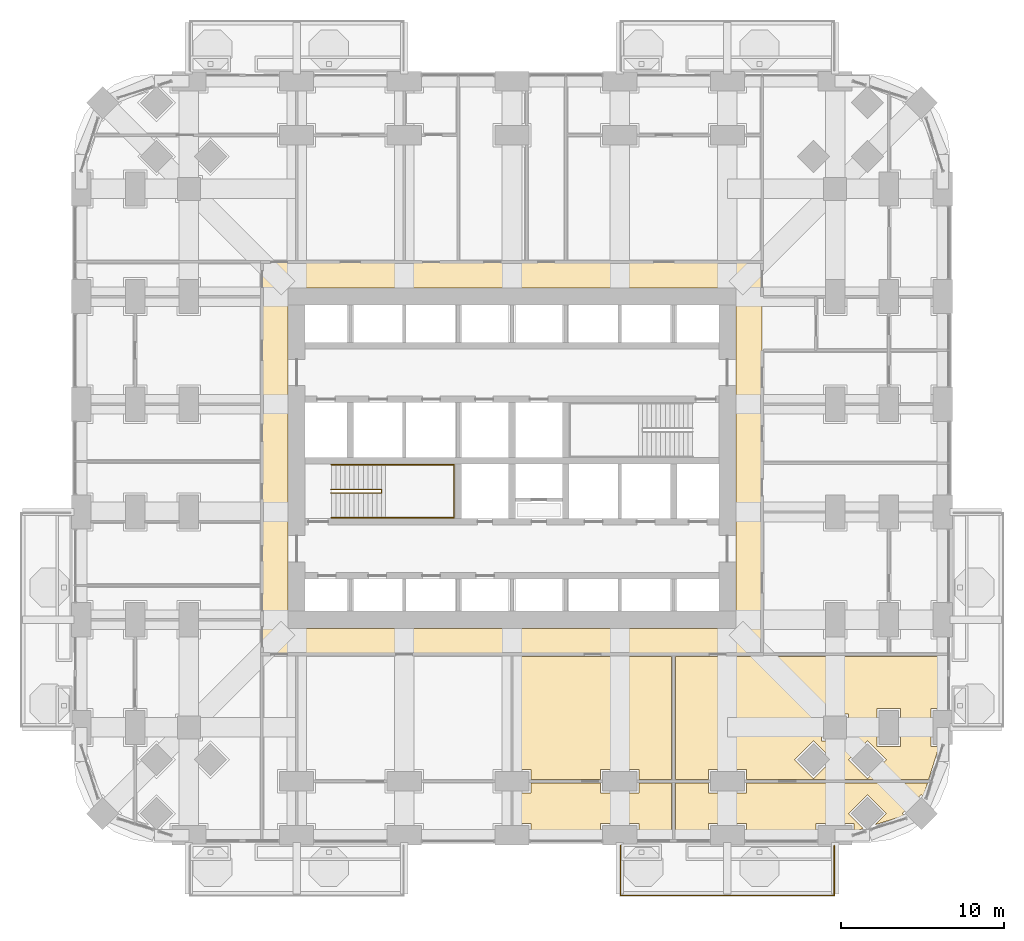
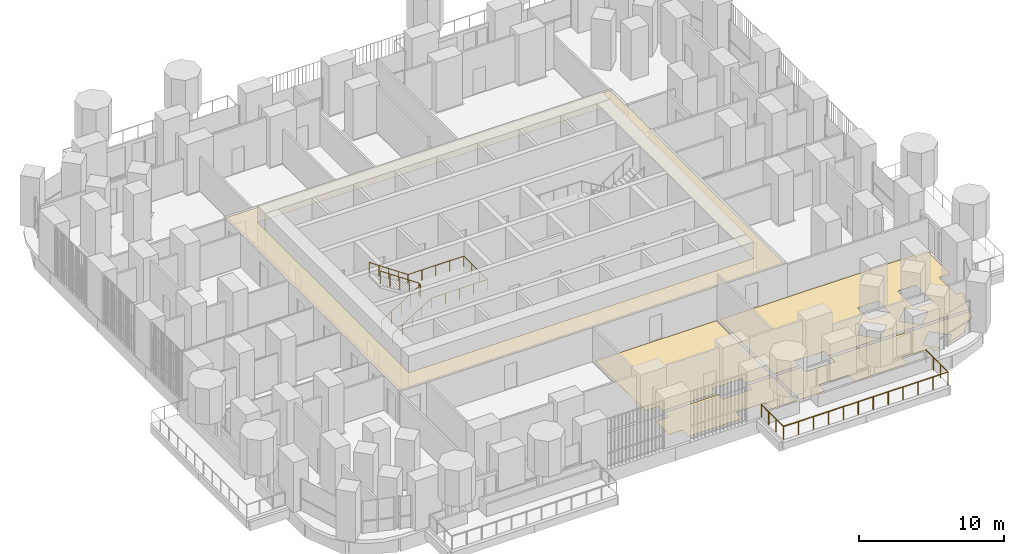
# One storey, part 24 of 27: 5 coverings, 3 railings.
"""IFC4 building model written with IfcOpenShell, lengths in metres."""

from ifc_helpers import new_model, si_unit, direction, frame, origin, place, context, subcontext, project, spatial, polyline, outline, extrude, material, layer, layer_set, type_object, element, save


model = new_model("IFC4")

# Units and contexts
model_context = context("Model", 3, precision=1e-05, world=origin(), true_north=direction((0.0, 1.0)))
body_context = subcontext(model_context, "Body", "Model", "MODEL_VIEW")
ifc_project = project(units=[si_unit("LENGTHUNIT", "METRE"), si_unit("AREAUNIT", "SQUARE_METRE"), si_unit("VOLUMEUNIT", "CUBIC_METRE"), si_unit("PLANEANGLEUNIT", "RADIAN"), si_unit("MASSUNIT", "GRAM", prefix="KILO")], contexts=[model_context])

# Site, building, storey
site_placement = place(None, origin())
site = spatial("IfcSite", under=ifc_project, at=site_placement, CompositionType="ELEMENT")
building_placement = place(site_placement, origin())
building = spatial("IfcBuilding", under=site, at=building_placement, Name="Cobogo Forest Laboratory Tower", CompositionType="ELEMENT")
storey_placement = place(building_placement, frame((0.0, 0.0, 29.699951171875)))
storey = spatial("IfcBuildingStorey", under=building, at=storey_placement, Name="L06", CompositionType="ELEMENT", Elevation=29.699951171875)

# Railing
ifc_material_1 = material(Name="Laminated glass balustrade", Category="glass")
railing_type_1 = type_object("IfcRailingType", Name="BG1 glass balustrade 1100", PredefinedType="GUARDRAIL", material=ifc_material_1)
railing_1_placement = place(storey_placement, frame((33.050048828125, -0.64990234375, 0.0)))
element("IfcRailing", 1, at=railing_1_placement, inside=storey, type_object=railing_type_1, Name="Balcony balustrade BAL-S2 L06", PredefinedType="GUARDRAIL", context=body_context, shape_type="SweptSolid", body=[
    extrude(outline(polyline([(0.022216796875, 0.00927734375), (0.00927734375, 0.022216796875), (-0.00927734375, 0.022216796875), (-0.022216796875, 0.00927734375), (-0.022216796875, -0.00927734375), (-0.00927734375, -0.022216796875), (0.00927734375, -0.022216796875), (0.022216796875, -0.00927734375), (0.022216796875, 0.00927734375)])), frame((0.0, 0.0, 1.077880859375), z_axis=(0.0, -1.0, 0.0), x_axis=(1.0, 0.0, 0.0)), (0.0, 0.0, 1.0), 3.050048828125),
    extrude(outline(polyline([(0.022216796875, 0.00927734375), (0.00927734375, 0.022216796875), (-0.00927734375, 0.022216796875), (-0.022216796875, 0.00927734375), (-0.022216796875, -0.00927734375), (-0.00927734375, -0.022216796875), (0.00927734375, -0.022216796875), (0.022216796875, -0.00927734375), (0.022216796875, 0.00927734375)])), frame((0.0, -3.050048828125, 1.077880859375), z_axis=(1.0, 0.0, 0.0), x_axis=(0.0, 1.0, 0.0)), (0.0, 0.0, 1.0), 13.099853515625),
    extrude(outline(polyline([(0.022216796875, 0.00927734375), (0.00927734375, 0.022216796875), (-0.00927734375, 0.022216796875), (-0.022216796875, 0.00927734375), (-0.022216796875, -0.00927734375), (-0.00927734375, -0.022216796875), (0.00927734375, -0.022216796875), (0.022216796875, -0.00927734375), (0.022216796875, 0.00927734375)])), frame((13.099853515625, -3.050048828125, 1.077880859375), z_axis=(0.0, 1.0, 0.0), x_axis=(-1.0, 0.0, 0.0)), (0.0, 0.0, 1.0), 3.050048828125),
    extrude(outline(polyline([(0.019287109375, 0.008056640625), (0.008056640625, 0.019287109375), (-0.008056640625, 0.019287109375), (-0.019287109375, 0.008056640625), (-0.019287109375, -0.008056640625), (-0.008056640625, -0.019287109375), (0.008056640625, -0.019287109375), (0.019287109375, -0.008056640625), (0.019287109375, 0.008056640625)])), origin(), (0.0, 0.0, 1.0), 1.077880859375),
    extrude(outline(polyline([(0.019287109375, 0.008056640625), (0.008056640625, 0.019287109375), (-0.008056640625, 0.019287109375), (-0.019287109375, 0.008056640625), (-0.019287109375, -0.008056640625), (-0.008056640625, -0.019287109375), (0.008056640625, -0.019287109375), (0.019287109375, -0.008056640625), (0.019287109375, 0.008056640625)])), frame((0.0, -1.0166015625, 0.0)), (0.0, 0.0, 1.0), 1.077880859375),
    extrude(outline(polyline([(0.019287109375, 0.008056640625), (0.008056640625, 0.019287109375), (-0.008056640625, 0.019287109375), (-0.019287109375, 0.008056640625), (-0.019287109375, -0.008056640625), (-0.008056640625, -0.019287109375), (0.008056640625, -0.019287109375), (0.019287109375, -0.008056640625), (0.019287109375, 0.008056640625)])), frame((0.0, -2.033447265625, 0.0)), (0.0, 0.0, 1.0), 1.077880859375),
    extrude(outline(polyline([(0.019287109375, 0.008056640625), (0.008056640625, 0.019287109375), (-0.008056640625, 0.019287109375), (-0.019287109375, 0.008056640625), (-0.019287109375, -0.008056640625), (-0.008056640625, -0.019287109375), (0.008056640625, -0.019287109375), (0.019287109375, -0.008056640625), (0.019287109375, 0.008056640625)])), frame((0.0, -3.050048828125, 0.0)), (0.0, 0.0, 1.0), 1.077880859375),
    extrude(outline(polyline([(0.019287109375, 0.008056640625), (0.008056640625, 0.019287109375), (-0.008056640625, 0.019287109375), (-0.019287109375, 0.008056640625), (-0.019287109375, -0.008056640625), (-0.008056640625, -0.019287109375), (0.008056640625, -0.019287109375), (0.019287109375, -0.008056640625), (0.019287109375, 0.008056640625)])), frame((1.19091796875, -3.050048828125, 0.0)), (0.0, 0.0, 1.0), 1.077880859375),
    extrude(outline(polyline([(0.019287109375, 0.008056640625), (0.008056640625, 0.019287109375), (-0.008056640625, 0.019287109375), (-0.019287109375, 0.008056640625), (-0.019287109375, -0.008056640625), (-0.008056640625, -0.019287109375), (0.008056640625, -0.019287109375), (0.019287109375, -0.008056640625), (0.019287109375, 0.008056640625)])), frame((2.3818359375, -3.050048828125, 0.0)), (0.0, 0.0, 1.0), 1.077880859375),
    extrude(outline(polyline([(0.019287109375, 0.008056640625), (0.008056640625, 0.019287109375), (-0.008056640625, 0.019287109375), (-0.019287109375, 0.008056640625), (-0.019287109375, -0.008056640625), (-0.008056640625, -0.019287109375), (0.008056640625, -0.019287109375), (0.019287109375, -0.008056640625), (0.019287109375, 0.008056640625)])), frame((3.57275390625, -3.050048828125, 0.0)), (0.0, 0.0, 1.0), 1.077880859375),
    extrude(outline(polyline([(0.019287109375, 0.008056640625), (0.008056640625, 0.019287109375), (-0.008056640625, 0.019287109375), (-0.019287109375, 0.008056640625), (-0.019287109375, -0.008056640625), (-0.008056640625, -0.019287109375), (0.008056640625, -0.019287109375), (0.019287109375, -0.008056640625), (0.019287109375, 0.008056640625)])), frame((4.763671875, -3.050048828125, 0.0)), (0.0, 0.0, 1.0), 1.077880859375),
    extrude(outline(polyline([(0.019287109375, 0.008056640625), (0.008056640625, 0.019287109375), (-0.008056640625, 0.019287109375), (-0.019287109375, 0.008056640625), (-0.019287109375, -0.008056640625), (-0.008056640625, -0.019287109375), (0.008056640625, -0.019287109375), (0.019287109375, -0.008056640625), (0.019287109375, 0.008056640625)])), frame((5.95458984375, -3.050048828125, 0.0)), (0.0, 0.0, 1.0), 1.077880859375),
    extrude(outline(polyline([(0.019287109375, 0.008056640625), (0.008056640625, 0.019287109375), (-0.008056640625, 0.019287109375), (-0.019287109375, 0.008056640625), (-0.019287109375, -0.008056640625), (-0.008056640625, -0.019287109375), (0.008056640625, -0.019287109375), (0.019287109375, -0.008056640625), (0.019287109375, 0.008056640625)])), frame((7.145263671875, -3.050048828125, 0.0)), (0.0, 0.0, 1.0), 1.077880859375),
    extrude(outline(polyline([(0.019287109375, 0.008056640625), (0.008056640625, 0.019287109375), (-0.008056640625, 0.019287109375), (-0.019287109375, 0.008056640625), (-0.019287109375, -0.008056640625), (-0.008056640625, -0.019287109375), (0.008056640625, -0.019287109375), (0.019287109375, -0.008056640625), (0.019287109375, 0.008056640625)])), frame((8.336181640625, -3.050048828125, 0.0)), (0.0, 0.0, 1.0), 1.077880859375),
    extrude(outline(polyline([(0.019287109375, 0.008056640625), (0.008056640625, 0.019287109375), (-0.008056640625, 0.019287109375), (-0.019287109375, 0.008056640625), (-0.019287109375, -0.008056640625), (-0.008056640625, -0.019287109375), (0.008056640625, -0.019287109375), (0.019287109375, -0.008056640625), (0.019287109375, 0.008056640625)])), frame((9.527099609375, -3.050048828125, 0.0)), (0.0, 0.0, 1.0), 1.077880859375),
    extrude(outline(polyline([(0.019287109375, 0.008056640625), (0.008056640625, 0.019287109375), (-0.008056640625, 0.019287109375), (-0.019287109375, 0.008056640625), (-0.019287109375, -0.008056640625), (-0.008056640625, -0.019287109375), (0.008056640625, -0.019287109375), (0.019287109375, -0.008056640625), (0.019287109375, 0.008056640625)])), frame((10.718017578125, -3.050048828125, 0.0)), (0.0, 0.0, 1.0), 1.077880859375),
    extrude(outline(polyline([(0.019287109375, 0.008056640625), (0.008056640625, 0.019287109375), (-0.008056640625, 0.019287109375), (-0.019287109375, 0.008056640625), (-0.019287109375, -0.008056640625), (-0.008056640625, -0.019287109375), (0.008056640625, -0.019287109375), (0.019287109375, -0.008056640625), (0.019287109375, 0.008056640625)])), frame((11.908935546875, -3.050048828125, 0.0)), (0.0, 0.0, 1.0), 1.077880859375),
    extrude(outline(polyline([(0.019287109375, 0.008056640625), (0.008056640625, 0.019287109375), (-0.008056640625, 0.019287109375), (-0.019287109375, 0.008056640625), (-0.019287109375, -0.008056640625), (-0.008056640625, -0.019287109375), (0.008056640625, -0.019287109375), (0.019287109375, -0.008056640625), (0.019287109375, 0.008056640625)])), frame((13.099853515625, -3.050048828125, 0.0)), (0.0, 0.0, 1.0), 1.077880859375),
    extrude(outline(polyline([(0.019287109375, 0.008056640625), (0.008056640625, 0.019287109375), (-0.008056640625, 0.019287109375), (-0.019287109375, 0.008056640625), (-0.019287109375, -0.008056640625), (-0.008056640625, -0.019287109375), (0.008056640625, -0.019287109375), (0.019287109375, -0.008056640625), (0.019287109375, 0.008056640625)])), frame((13.099853515625, -2.033447265625, 0.0)), (0.0, 0.0, 1.0), 1.077880859375),
    extrude(outline(polyline([(0.019287109375, 0.008056640625), (0.008056640625, 0.019287109375), (-0.008056640625, 0.019287109375), (-0.019287109375, 0.008056640625), (-0.019287109375, -0.008056640625), (-0.008056640625, -0.019287109375), (0.008056640625, -0.019287109375), (0.019287109375, -0.008056640625), (0.019287109375, 0.008056640625)])), frame((13.099853515625, -1.0166015625, 0.0)), (0.0, 0.0, 1.0), 1.077880859375),
    extrude(outline(polyline([(0.019287109375, 0.008056640625), (0.008056640625, 0.019287109375), (-0.008056640625, 0.019287109375), (-0.019287109375, 0.008056640625), (-0.019287109375, -0.008056640625), (-0.008056640625, -0.019287109375), (0.008056640625, -0.019287109375), (0.019287109375, -0.008056640625), (0.019287109375, 0.008056640625)])), frame((13.099853515625, 0.0, 0.0)), (0.0, 0.0, 1.0), 1.077880859375),
])

# Coverings
ifc_material_2 = material(Name="Mineral fibre ceiling tile", Category="ceiling")
ifc_layer_1 = layer(ifc_material_2, 0.02001953125)
ifc_layer_set_1 = layer_set([ifc_layer_1], Name="CL1 suspended ceiling")
covering_type_1 = type_object("IfcCoveringType", Name="CL1 suspended ceiling", PredefinedType="CEILING", material=ifc_layer_set_1)
covering_1_placement = place(storey_placement, frame((0.0, 0.0, 2.800048828125)))
element("IfcCovering", 2, at=covering_1_placement, inside=storey, type_object=covering_type_1, Name="Corridor ceiling L06", PredefinedType="CEILING", context=body_context, shape_type="SweptSolid", body=[
    extrude(outline(polyline([(11.074951171875, 11.074951171875), (11.074951171875, 35.125), (41.72509765625, 35.125), (41.72509765625, 11.074951171875), (11.074951171875, 11.074951171875)]), holes=[polyline([(40.125, 33.52490234375), (12.675048828125, 33.52490234375), (12.675048828125, 12.675048828125), (40.125, 12.675048828125), (40.125, 33.52490234375)])]), origin(), (0.0, 0.0, 1.0), 0.02001953125),
])
ifc_material_3 = material(Name="Carpet tile on raised access floor", Category="flooring")
ifc_layer_2 = layer(ifc_material_3, 0.008056640625)
ifc_layer_set_2 = layer_set([ifc_layer_2], Name="CT1 carpet tile floor 8")
covering_type_2 = type_object("IfcCoveringType", Name="CT1 carpet tile floor 8", PredefinedType="FLOORING", material=ifc_layer_set_2)
covering_2_placement = place(storey_placement, origin())
element("IfcCovering", 3, at=covering_2_placement, inside=storey, type_object=covering_type_2, Name="Carpet floor L06-05", PredefinedType="FLOORING", context=body_context, shape_type="SweptSolid", body=[
    extrude(outline(polyline([(31.830078125, 3.179931640625), (31.830078125, 2.580078125), (34.169921875, 2.580078125), (34.169921875, 3.179931640625), (36.179931640625, 3.179931640625), (36.179931640625, -0.14990234375), (34.169921875, -0.14990234375), (34.169921875, 0.719970703125), (31.830078125, 0.719970703125), (31.830078125, -0.14990234375), (27.570068359375, -0.14990234375), (27.570068359375, 0.719970703125), (26.52001953125, 0.719970703125), (26.52001953125, 2.580078125), (27.570068359375, 2.580078125), (27.570068359375, 3.179931640625), (31.830078125, 3.179931640625)])), origin(), (0.0, 0.0, 1.0), 0.008056640625),
])
covering_3_placement = place(storey_placement, origin())
element("IfcCovering", 4, at=covering_3_placement, inside=storey, type_object=covering_type_2, Name="Carpet floor L06-07", PredefinedType="FLOORING", context=body_context, shape_type="SweptSolid", body=[
    extrude(outline(polyline([(38.429931640625, 3.179931640625), (38.429931640625, 2.580078125), (40.77001953125, 2.580078125), (40.77001953125, 3.179931640625), (51.8603515625, 3.179931640625), (51.600830078125, 2.358642578125), (51.48193359375, 2.477783203125), (50.322265625, 1.318115234375), (50.441162109375, 1.19921875), (48.660400390625, 0.63671875), (49.341552734375, 1.318115234375), (48.181884765625, 2.477783203125), (47.022216796875, 1.318115234375), (47.933349609375, 0.406982421875), (47.3701171875, 0.229248046875), (47.3701171875, 0.719970703125), (45.030029296875, 0.719970703125), (45.030029296875, -0.14990234375), (40.77001953125, -0.14990234375), (40.77001953125, 0.719970703125), (38.429931640625, 0.719970703125), (38.429931640625, -0.14990234375), (36.419921875, -0.14990234375), (36.419921875, 3.179931640625), (38.429931640625, 3.179931640625)])), origin(), (0.0, 0.0, 1.0), 0.008056640625),
])

# Railings
ifc_material_4 = material(Name="Steel balustrade", Category="steel")
railing_type_2 = type_object("IfcRailingType", Name="GR stair guard 1100", PredefinedType="GUARDRAIL", material=ifc_material_4)
railing_2_placement = place(storey_placement, frame((15.324951171875, 20.969970703125, 0.175048828125)))
element("IfcRailing", 5, at=railing_2_placement, inside=storey, type_object=railing_type_2, Name="Stair guard ST1 L06", PredefinedType="GUARDRAIL", context=body_context, shape_type="SweptSolid", body=[
    extrude(outline(polyline([(0.022216796875, 0.00927734375), (0.00927734375, 0.022216796875), (-0.00927734375, 0.022216796875), (-0.022216796875, 0.00927734375), (-0.022216796875, -0.00927734375), (-0.00927734375, -0.022216796875), (0.00927734375, -0.022216796875), (0.022216796875, -0.00927734375), (0.022216796875, 0.00927734375)])), frame((0.0, 0.0, 1.077880859375), z_axis=(0.847998304005, 0.0, 0.529998940003), x_axis=(0.0, 1.0, 0.0)), (0.0, 0.0, 1.0), 3.632080078125),
    extrude(outline(polyline([(0.022216796875, 0.00927734375), (0.00927734375, 0.022216796875), (-0.00927734375, 0.022216796875), (-0.022216796875, 0.00927734375), (-0.022216796875, -0.00927734375), (-0.00927734375, -0.022216796875), (0.00927734375, -0.022216796875), (0.022216796875, -0.00927734375), (0.022216796875, 0.00927734375)])), frame((3.080078125, 0.0, 3.0029296875), z_axis=(0.0, 1.0, 0.0), x_axis=(-1.0, 0.0, 0.0)), (0.0, 0.0, 1.0), 0.2099609375),
    extrude(outline(polyline([(0.022216796875, 0.00927734375), (0.00927734375, 0.022216796875), (-0.00927734375, 0.022216796875), (-0.022216796875, 0.00927734375), (-0.022216796875, -0.00927734375), (-0.00927734375, -0.022216796875), (0.00927734375, -0.022216796875), (0.022216796875, -0.00927734375), (0.022216796875, 0.00927734375)])), frame((3.080078125, 0.2099609375, 3.0029296875), z_axis=(-0.826252282691, 0.0, 0.563300244406), x_axis=(0.0, -1.0, 0.0)), (0.0, 0.0, 1.0), 3.727783203125),
    extrude(outline(polyline([(0.019287109375, 0.008056640625), (0.008056640625, 0.019287109375), (-0.008056640625, 0.019287109375), (-0.019287109375, 0.008056640625), (-0.019287109375, -0.008056640625), (-0.008056640625, -0.019287109375), (0.008056640625, -0.019287109375), (0.019287109375, -0.008056640625), (0.019287109375, 0.008056640625)])), origin(), (0.0, 0.0, 1.0), 1.077880859375),
    extrude(outline(polyline([(0.019287109375, 0.008056640625), (0.008056640625, 0.019287109375), (-0.008056640625, 0.019287109375), (-0.019287109375, 0.008056640625), (-0.019287109375, -0.008056640625), (-0.008056640625, -0.019287109375), (0.008056640625, -0.019287109375), (0.019287109375, -0.008056640625), (0.019287109375, 0.008056640625)])), frame((0.77001953125, 0.0, 0.481201171875)), (0.0, 0.0, 1.0), 1.077880859375),
    extrude(outline(polyline([(0.019287109375, 0.008056640625), (0.008056640625, 0.019287109375), (-0.008056640625, 0.019287109375), (-0.019287109375, 0.008056640625), (-0.019287109375, -0.008056640625), (-0.008056640625, -0.019287109375), (0.008056640625, -0.019287109375), (0.019287109375, -0.008056640625), (0.019287109375, 0.008056640625)])), frame((1.5400390625, 0.0, 0.96240234375)), (0.0, 0.0, 1.0), 1.077880859375),
    extrude(outline(polyline([(0.019287109375, 0.008056640625), (0.008056640625, 0.019287109375), (-0.008056640625, 0.019287109375), (-0.019287109375, 0.008056640625), (-0.019287109375, -0.008056640625), (-0.008056640625, -0.019287109375), (0.008056640625, -0.019287109375), (0.019287109375, -0.008056640625), (0.019287109375, 0.008056640625)])), frame((2.31005859375, 0.0, 1.44384765625)), (0.0, 0.0, 1.0), 1.077880859375),
    extrude(outline(polyline([(0.019287109375, 0.008056640625), (0.008056640625, 0.019287109375), (-0.008056640625, 0.019287109375), (-0.019287109375, 0.008056640625), (-0.019287109375, -0.008056640625), (-0.008056640625, -0.019287109375), (0.008056640625, -0.019287109375), (0.019287109375, -0.008056640625), (0.019287109375, 0.008056640625)])), frame((3.080078125, 0.0, 1.925048828125)), (0.0, 0.0, 1.0), 1.077880859375),
    extrude(outline(polyline([(0.019287109375, 0.008056640625), (0.008056640625, 0.019287109375), (-0.008056640625, 0.019287109375), (-0.019287109375, 0.008056640625), (-0.019287109375, -0.008056640625), (-0.008056640625, -0.019287109375), (0.008056640625, -0.019287109375), (0.019287109375, -0.008056640625), (0.019287109375, 0.008056640625)])), frame((3.080078125, 0.2099609375, 1.925048828125)), (0.0, 0.0, 1.0), 1.077880859375),
    extrude(outline(polyline([(0.019287109375, 0.008056640625), (0.008056640625, 0.019287109375), (-0.008056640625, 0.019287109375), (-0.019287109375, 0.008056640625), (-0.019287109375, -0.008056640625), (-0.008056640625, -0.019287109375), (0.008056640625, -0.019287109375), (0.019287109375, -0.008056640625), (0.019287109375, 0.008056640625)])), frame((2.31005859375, 0.2099609375, 2.449951171875)), (0.0, 0.0, 1.0), 1.077880859375),
    extrude(outline(polyline([(0.019287109375, 0.008056640625), (0.008056640625, 0.019287109375), (-0.008056640625, 0.019287109375), (-0.019287109375, 0.008056640625), (-0.019287109375, -0.008056640625), (-0.008056640625, -0.019287109375), (0.008056640625, -0.019287109375), (0.019287109375, -0.008056640625), (0.019287109375, 0.008056640625)])), frame((1.5400390625, 0.2099609375, 2.97509765625)), (0.0, 0.0, 1.0), 1.077880859375),
    extrude(outline(polyline([(0.019287109375, 0.008056640625), (0.008056640625, 0.019287109375), (-0.008056640625, 0.019287109375), (-0.019287109375, 0.008056640625), (-0.019287109375, -0.008056640625), (-0.008056640625, -0.019287109375), (0.008056640625, -0.019287109375), (0.019287109375, -0.008056640625), (0.019287109375, 0.008056640625)])), frame((0.77001953125, 0.2099609375, 3.5)), (0.0, 0.0, 1.0), 1.077880859375),
    extrude(outline(polyline([(0.019287109375, 0.008056640625), (0.008056640625, 0.019287109375), (-0.008056640625, 0.019287109375), (-0.019287109375, 0.008056640625), (-0.019287109375, -0.008056640625), (-0.008056640625, -0.019287109375), (0.008056640625, -0.019287109375), (0.019287109375, -0.008056640625), (0.019287109375, 0.008056640625)])), frame((0.0, 0.2099609375, 4.02490234375)), (0.0, 0.0, 1.0), 1.077880859375),
])
ifc_material_5 = material(Name="Stainless steel handrail", Category="steel")
railing_type_3 = type_object("IfcRailingType", Name="HR handrail 900", PredefinedType="HANDRAIL", material=ifc_material_5)
railing_3_placement = place(storey_placement, frame((15.324951171875, 19.449951171875, 0.175048828125)))
element("IfcRailing", 6, at=railing_3_placement, inside=storey, type_object=railing_type_3, Name="Stair handrail ST1 L06", PredefinedType="HANDRAIL", context=body_context, shape_type="SweptSolid", body=[
    extrude(outline(polyline([(0.022216796875, 0.00927734375), (0.00927734375, 0.022216796875), (-0.00927734375, 0.022216796875), (-0.022216796875, 0.00927734375), (-0.022216796875, -0.00927734375), (-0.00927734375, -0.022216796875), (0.00927734375, -0.022216796875), (0.022216796875, -0.00927734375), (0.022216796875, 0.00927734375)])), frame((0.0, 0.0, 0.877685546875), z_axis=(0.847998304005, 0.0, 0.529998940003), x_axis=(0.0, 1.0, 0.0)), (0.0, 0.0, 1.0), 3.632080078125),
    extrude(outline(polyline([(0.022216796875, 0.00927734375), (0.00927734375, 0.022216796875), (-0.00927734375, 0.022216796875), (-0.022216796875, 0.00927734375), (-0.022216796875, -0.00927734375), (-0.00927734375, -0.022216796875), (0.00927734375, -0.022216796875), (0.022216796875, -0.00927734375), (0.022216796875, 0.00927734375)])), frame((3.080078125, 0.0, 2.802734375), z_axis=(1.0, 0.0, 0.0), x_axis=(0.0, 1.0, 0.0)), (0.0, 0.0, 1.0), 4.445068359375),
    extrude(outline(polyline([(0.022216796875, 0.00927734375), (0.00927734375, 0.022216796875), (-0.00927734375, 0.022216796875), (-0.022216796875, 0.00927734375), (-0.022216796875, -0.00927734375), (-0.00927734375, -0.022216796875), (0.00927734375, -0.022216796875), (0.022216796875, -0.00927734375), (0.022216796875, 0.00927734375)])), frame((7.525146484375, 0.0, 2.802734375), z_axis=(0.0, 1.0, 0.0), x_axis=(-1.0, 0.0, 0.0)), (0.0, 0.0, 1.0), 3.25),
    extrude(outline(polyline([(0.022216796875, 0.00927734375), (0.00927734375, 0.022216796875), (-0.00927734375, 0.022216796875), (-0.022216796875, 0.00927734375), (-0.022216796875, -0.00927734375), (-0.00927734375, -0.022216796875), (0.00927734375, -0.022216796875), (0.022216796875, -0.00927734375), (0.022216796875, 0.00927734375)])), frame((7.525146484375, 3.25, 2.802734375), z_axis=(-1.0, 0.0, 0.0), x_axis=(0.0, -1.0, 0.0)), (0.0, 0.0, 1.0), 4.445068359375),
    extrude(outline(polyline([(0.022216796875, 0.00927734375), (0.00927734375, 0.022216796875), (-0.00927734375, 0.022216796875), (-0.022216796875, 0.00927734375), (-0.022216796875, -0.00927734375), (-0.00927734375, -0.022216796875), (0.00927734375, -0.022216796875), (0.022216796875, -0.00927734375), (0.022216796875, 0.00927734375)])), frame((3.080078125, 3.25, 2.802734375), z_axis=(-0.826252282691, 0.0, 0.563300244406), x_axis=(0.0, -1.0, 0.0)), (0.0, 0.0, 1.0), 3.727783203125),
    extrude(outline(polyline([(0.019287109375, 0.008056640625), (0.008056640625, 0.019287109375), (-0.008056640625, 0.019287109375), (-0.019287109375, 0.008056640625), (-0.019287109375, -0.008056640625), (-0.008056640625, -0.019287109375), (0.008056640625, -0.019287109375), (0.019287109375, -0.008056640625), (0.019287109375, 0.008056640625)])), origin(), (0.0, 0.0, 1.0), 0.877685546875),
    extrude(outline(polyline([(0.019287109375, 0.008056640625), (0.008056640625, 0.019287109375), (-0.008056640625, 0.019287109375), (-0.019287109375, 0.008056640625), (-0.019287109375, -0.008056640625), (-0.008056640625, -0.019287109375), (0.008056640625, -0.019287109375), (0.019287109375, -0.008056640625), (0.019287109375, 0.008056640625)])), frame((0.77001953125, 0.0, 0.481201171875)), (0.0, 0.0, 1.0), 0.877685546875),
    extrude(outline(polyline([(0.019287109375, 0.008056640625), (0.008056640625, 0.019287109375), (-0.008056640625, 0.019287109375), (-0.019287109375, 0.008056640625), (-0.019287109375, -0.008056640625), (-0.008056640625, -0.019287109375), (0.008056640625, -0.019287109375), (0.019287109375, -0.008056640625), (0.019287109375, 0.008056640625)])), frame((1.5400390625, 0.0, 0.96240234375)), (0.0, 0.0, 1.0), 0.877685546875),
    extrude(outline(polyline([(0.019287109375, 0.008056640625), (0.008056640625, 0.019287109375), (-0.008056640625, 0.019287109375), (-0.019287109375, 0.008056640625), (-0.019287109375, -0.008056640625), (-0.008056640625, -0.019287109375), (0.008056640625, -0.019287109375), (0.019287109375, -0.008056640625), (0.019287109375, 0.008056640625)])), frame((2.31005859375, 0.0, 1.44384765625)), (0.0, 0.0, 1.0), 0.877685546875),
    extrude(outline(polyline([(0.019287109375, 0.008056640625), (0.008056640625, 0.019287109375), (-0.008056640625, 0.019287109375), (-0.019287109375, 0.008056640625), (-0.019287109375, -0.008056640625), (-0.008056640625, -0.019287109375), (0.008056640625, -0.019287109375), (0.019287109375, -0.008056640625), (0.019287109375, 0.008056640625)])), frame((3.080078125, 0.0, 1.925048828125)), (0.0, 0.0, 1.0), 0.877685546875),
    extrude(outline(polyline([(0.019287109375, 0.008056640625), (0.008056640625, 0.019287109375), (-0.008056640625, 0.019287109375), (-0.019287109375, 0.008056640625), (-0.019287109375, -0.008056640625), (-0.008056640625, -0.019287109375), (0.008056640625, -0.019287109375), (0.019287109375, -0.008056640625), (0.019287109375, 0.008056640625)])), frame((4.19140625, 0.0, 1.925048828125)), (0.0, 0.0, 1.0), 0.877685546875),
    extrude(outline(polyline([(0.019287109375, 0.008056640625), (0.008056640625, 0.019287109375), (-0.008056640625, 0.019287109375), (-0.019287109375, 0.008056640625), (-0.019287109375, -0.008056640625), (-0.008056640625, -0.019287109375), (0.008056640625, -0.019287109375), (0.019287109375, -0.008056640625), (0.019287109375, 0.008056640625)])), frame((5.302734375, 0.0, 1.925048828125)), (0.0, 0.0, 1.0), 0.877685546875),
    extrude(outline(polyline([(0.019287109375, 0.008056640625), (0.008056640625, 0.019287109375), (-0.008056640625, 0.019287109375), (-0.019287109375, 0.008056640625), (-0.019287109375, -0.008056640625), (-0.008056640625, -0.019287109375), (0.008056640625, -0.019287109375), (0.019287109375, -0.008056640625), (0.019287109375, 0.008056640625)])), frame((6.413818359375, 0.0, 1.925048828125)), (0.0, 0.0, 1.0), 0.877685546875),
    extrude(outline(polyline([(0.019287109375, 0.008056640625), (0.008056640625, 0.019287109375), (-0.008056640625, 0.019287109375), (-0.019287109375, 0.008056640625), (-0.019287109375, -0.008056640625), (-0.008056640625, -0.019287109375), (0.008056640625, -0.019287109375), (0.019287109375, -0.008056640625), (0.019287109375, 0.008056640625)])), frame((7.525146484375, 0.0, 1.925048828125)), (0.0, 0.0, 1.0), 0.877685546875),
    extrude(outline(polyline([(0.019287109375, 0.008056640625), (0.008056640625, 0.019287109375), (-0.008056640625, 0.019287109375), (-0.019287109375, 0.008056640625), (-0.019287109375, -0.008056640625), (-0.008056640625, -0.019287109375), (0.008056640625, -0.019287109375), (0.019287109375, -0.008056640625), (0.019287109375, 0.008056640625)])), frame((7.525146484375, 1.083251953125, 1.925048828125)), (0.0, 0.0, 1.0), 0.877685546875),
    extrude(outline(polyline([(0.019287109375, 0.008056640625), (0.008056640625, 0.019287109375), (-0.008056640625, 0.019287109375), (-0.019287109375, 0.008056640625), (-0.019287109375, -0.008056640625), (-0.008056640625, -0.019287109375), (0.008056640625, -0.019287109375), (0.019287109375, -0.008056640625), (0.019287109375, 0.008056640625)])), frame((7.525146484375, 2.166748046875, 1.925048828125)), (0.0, 0.0, 1.0), 0.877685546875),
    extrude(outline(polyline([(0.019287109375, 0.008056640625), (0.008056640625, 0.019287109375), (-0.008056640625, 0.019287109375), (-0.019287109375, 0.008056640625), (-0.019287109375, -0.008056640625), (-0.008056640625, -0.019287109375), (0.008056640625, -0.019287109375), (0.019287109375, -0.008056640625), (0.019287109375, 0.008056640625)])), frame((7.525146484375, 3.25, 1.925048828125)), (0.0, 0.0, 1.0), 0.877685546875),
    extrude(outline(polyline([(0.019287109375, 0.008056640625), (0.008056640625, 0.019287109375), (-0.008056640625, 0.019287109375), (-0.019287109375, 0.008056640625), (-0.019287109375, -0.008056640625), (-0.008056640625, -0.019287109375), (0.008056640625, -0.019287109375), (0.019287109375, -0.008056640625), (0.019287109375, 0.008056640625)])), frame((6.413818359375, 3.25, 1.925048828125)), (0.0, 0.0, 1.0), 0.877685546875),
    extrude(outline(polyline([(0.019287109375, 0.008056640625), (0.008056640625, 0.019287109375), (-0.008056640625, 0.019287109375), (-0.019287109375, 0.008056640625), (-0.019287109375, -0.008056640625), (-0.008056640625, -0.019287109375), (0.008056640625, -0.019287109375), (0.019287109375, -0.008056640625), (0.019287109375, 0.008056640625)])), frame((5.302734375, 3.25, 1.925048828125)), (0.0, 0.0, 1.0), 0.877685546875),
    extrude(outline(polyline([(0.019287109375, 0.008056640625), (0.008056640625, 0.019287109375), (-0.008056640625, 0.019287109375), (-0.019287109375, 0.008056640625), (-0.019287109375, -0.008056640625), (-0.008056640625, -0.019287109375), (0.008056640625, -0.019287109375), (0.019287109375, -0.008056640625), (0.019287109375, 0.008056640625)])), frame((4.19140625, 3.25, 1.925048828125)), (0.0, 0.0, 1.0), 0.877685546875),
    extrude(outline(polyline([(0.019287109375, 0.008056640625), (0.008056640625, 0.019287109375), (-0.008056640625, 0.019287109375), (-0.019287109375, 0.008056640625), (-0.019287109375, -0.008056640625), (-0.008056640625, -0.019287109375), (0.008056640625, -0.019287109375), (0.019287109375, -0.008056640625), (0.019287109375, 0.008056640625)])), frame((3.080078125, 3.25, 1.925048828125)), (0.0, 0.0, 1.0), 0.877685546875),
    extrude(outline(polyline([(0.019287109375, 0.008056640625), (0.008056640625, 0.019287109375), (-0.008056640625, 0.019287109375), (-0.019287109375, 0.008056640625), (-0.019287109375, -0.008056640625), (-0.008056640625, -0.019287109375), (0.008056640625, -0.019287109375), (0.019287109375, -0.008056640625), (0.019287109375, 0.008056640625)])), frame((2.31005859375, 3.25, 2.449951171875)), (0.0, 0.0, 1.0), 0.877685546875),
    extrude(outline(polyline([(0.019287109375, 0.008056640625), (0.008056640625, 0.019287109375), (-0.008056640625, 0.019287109375), (-0.019287109375, 0.008056640625), (-0.019287109375, -0.008056640625), (-0.008056640625, -0.019287109375), (0.008056640625, -0.019287109375), (0.019287109375, -0.008056640625), (0.019287109375, 0.008056640625)])), frame((1.5400390625, 3.25, 2.97509765625)), (0.0, 0.0, 1.0), 0.877685546875),
    extrude(outline(polyline([(0.019287109375, 0.008056640625), (0.008056640625, 0.019287109375), (-0.008056640625, 0.019287109375), (-0.019287109375, 0.008056640625), (-0.019287109375, -0.008056640625), (-0.008056640625, -0.019287109375), (0.008056640625, -0.019287109375), (0.019287109375, -0.008056640625), (0.019287109375, 0.008056640625)])), frame((0.77001953125, 3.25, 3.5)), (0.0, 0.0, 1.0), 0.877685546875),
    extrude(outline(polyline([(0.019287109375, 0.008056640625), (0.008056640625, 0.019287109375), (-0.008056640625, 0.019287109375), (-0.019287109375, 0.008056640625), (-0.019287109375, -0.008056640625), (-0.008056640625, -0.019287109375), (0.008056640625, -0.019287109375), (0.019287109375, -0.008056640625), (0.019287109375, 0.008056640625)])), frame((0.0, 3.25, 4.02490234375)), (0.0, 0.0, 1.0), 0.877685546875),
])

# Coverings
ifc_material_6 = material(Name="Epoxy resin flooring", Category="flooring")
ifc_layer_3 = layer(ifc_material_6, 0.00390625)
ifc_layer_set_3 = layer_set([ifc_layer_3], Name="LF1 epoxy laboratory floor 4")
covering_type_3 = type_object("IfcCoveringType", Name="LF1 epoxy laboratory floor 4", PredefinedType="FLOORING", material=ifc_layer_set_3)
covering_4_placement = place(storey_placement, origin())
element("IfcCovering", 7, at=covering_4_placement, inside=storey, type_object=covering_type_3, Name="Epoxy laboratory floor L06-04", PredefinedType="FLOORING", context=body_context, shape_type="SweptSolid", body=[
    extrude(outline(polyline([(26.52001953125, 10.955078125), (36.179931640625, 10.955078125), (36.179931640625, 3.419921875), (34.169921875, 3.419921875), (34.169921875, 4.02001953125), (31.830078125, 4.02001953125), (31.830078125, 3.419921875), (27.570068359375, 3.419921875), (27.570068359375, 4.02001953125), (26.52001953125, 4.02001953125), (26.52001953125, 10.955078125)])), origin(), (0.0, 0.0, 1.0), 0.004150390625),
])
covering_5_placement = place(storey_placement, origin())
element("IfcCovering", 8, at=covering_5_placement, inside=storey, type_object=covering_type_3, Name="Epoxy laboratory floor L06-06", PredefinedType="FLOORING", context=body_context, shape_type="SweptSolid", body=[
    extrude(outline(polyline([(36.419921875, 10.955078125), (52.949951171875, 10.955078125), (52.949951171875, 7.77001953125), (52.080078125, 7.77001953125), (52.080078125, 5.429931640625), (52.57080078125, 5.429931640625), (51.93603515625, 3.419921875), (40.77001953125, 3.419921875), (40.77001953125, 4.02001953125), (38.429931640625, 4.02001953125), (38.429931640625, 3.419921875), (36.419921875, 3.419921875), (36.419921875, 10.955078125)]), holes=[polyline([(48.780029296875, 5.429931640625), (50.219970703125, 5.429931640625), (50.219970703125, 7.77001953125), (48.780029296875, 7.77001953125), (48.780029296875, 5.429931640625)]), polyline([(48.181884765625, 5.777587890625), (47.022216796875, 4.617919921875), (48.181884765625, 3.458251953125), (49.341552734375, 4.617919921875), (48.181884765625, 5.777587890625)]), polyline([(45.3798828125, 7.419921875), (45.3798828125, 5.780029296875), (47.02001953125, 5.780029296875), (47.02001953125, 7.419921875), (45.3798828125, 7.419921875)]), polyline([(44.882080078125, 5.777587890625), (43.722412109375, 4.617919921875), (44.882080078125, 3.458251953125), (46.041748046875, 4.617919921875), (44.882080078125, 5.777587890625)])]), origin(), (0.0, 0.0, 1.0), 0.004150390625),
])

save(model, "model.ifc")
